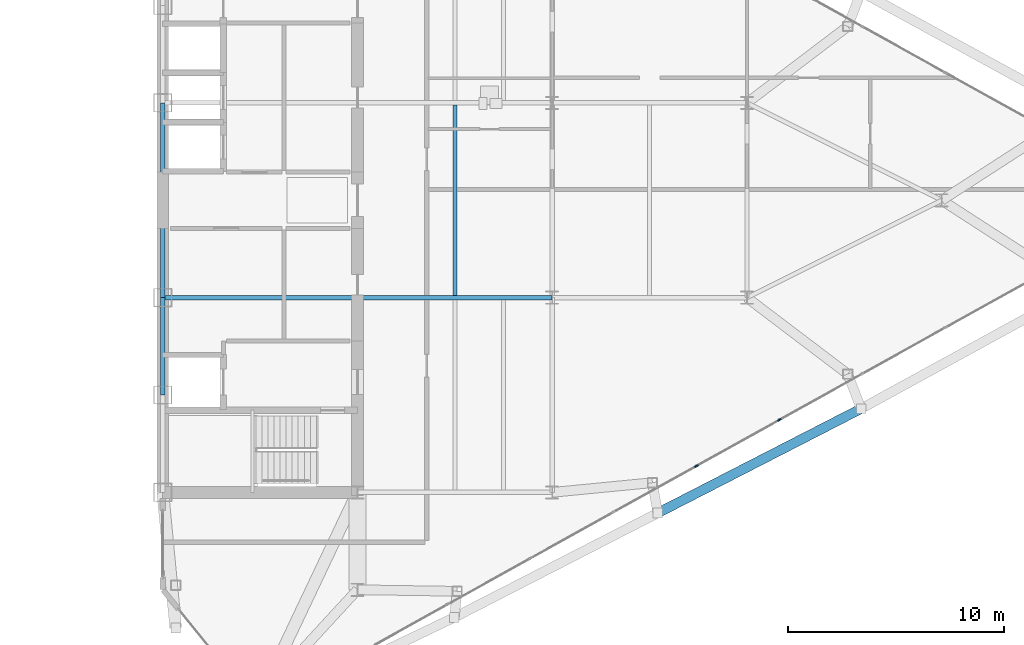
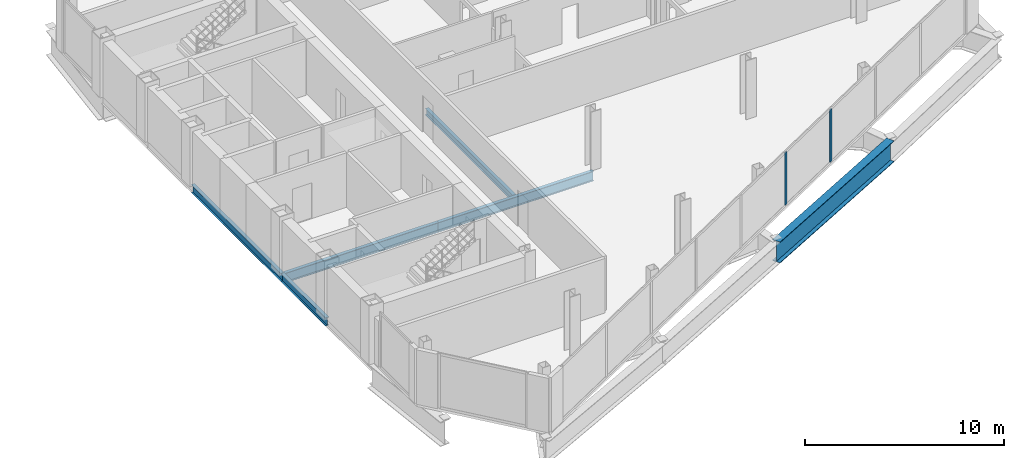
# One storey, part 13 of 28: 6 beams, 2 members, 1 element without a shape of its own.
"""IFC4 building model written with IfcOpenShell, lengths in metres."""

from ifc_helpers import new_model, si_unit, direction, frame, origin, origin_2d, place, context, subcontext, project, spatial, rectangle, i_section, extrude, source, transform, mapped, material, layer, layer_set, material_profile, profile_set, type_object, type_shapes, element, aggregate, save


model = new_model("IFC4")

# Units and contexts
model_context = context("Model", 3, precision=1e-05, world=origin(), true_north=direction((0.0, 1.0)))
body_context = subcontext(model_context, "Body", "Model", "MODEL_VIEW")
ifc_project = project(units=[si_unit("LENGTHUNIT", "METRE"), si_unit("AREAUNIT", "SQUARE_METRE"), si_unit("VOLUMEUNIT", "CUBIC_METRE"), si_unit("PLANEANGLEUNIT", "RADIAN"), si_unit("MASSUNIT", "GRAM", prefix="KILO")], contexts=[model_context])

# Site, building, storey
site_placement = place(None, origin())
site = spatial("IfcSite", under=ifc_project, at=site_placement, CompositionType="ELEMENT")
building_placement = place(site_placement, origin())
building = spatial("IfcBuilding", under=site, at=building_placement, Name="Seokmaru Belvedere", CompositionType="ELEMENT")
storey_placement = place(building_placement, frame((0.0, 0.0, 158.39990234375)))
storey = spatial("IfcBuildingStorey", under=building, at=storey_placement, Name="L42", CompositionType="ELEMENT", Elevation=158.39990234375)

# Beams
ifc_material_1 = material(Name="Steel SM355 (355 MPa)", Category="steel")
ifc_material_profile_1 = material_profile(ifc_material_1, i_section(OverallWidth=0.199951171875, OverallDepth=0.5, WebThickness=0.010009765625, FlangeThickness=0.01611328125, at=origin_2d()), Name="H-500x200x10x16")
ifc_profile_set_1 = profile_set([ifc_material_profile_1], Name="Steel SM355 (355 MPa)")
beam_type_1 = type_object("IfcBeamType", Name="Perimeter Spandrel Beam H-500", PredefinedType="SPANDREL", material=ifc_profile_set_1)
shared_shape_1 = source(origin(), body_context, "Body", "SweptSolid", [
    extrude(i_section(OverallWidth=0.199951171875, OverallDepth=0.5, WebThickness=0.010009765625, FlangeThickness=0.01611328125, at=origin_2d()), origin(), (0.0, 0.0, 1.0), 4.5),
])
beam_1_placement = place(storey_placement, frame((27.5, -9.0, -0.469970703125), z_axis=(0.0, 1.0, 0.0), x_axis=(-1.0, 0.0, 0.0)))
element("IfcBeam", 1, at=beam_1_placement, inside=storey, type_object=beam_type_1, Name="L42 E Portal Spine Spandrel 2", PredefinedType="SPANDREL", context=body_context, shape_type="MappedRepresentation", body=[
    mapped(shared_shape_1, transform((0.0, 0.0, 0.0), scale=1.0)),
])
shared_shape_2 = source(origin(), body_context, "Body", "SweptSolid", [
    extrude(i_section(OverallWidth=0.199951171875, OverallDepth=0.5, WebThickness=0.010009765625, FlangeThickness=0.01611328125, at=origin_2d()), origin(), (0.0, 0.0, 1.0), 9.0),
])
type_shapes(beam_type_1, [shared_shape_1, shared_shape_2])
beam_2_placement = place(storey_placement, frame((27.5, -4.5, -0.469970703125), z_axis=(0.0, 1.0, 0.0), x_axis=(-1.0, 0.0, 0.0)))
element("IfcBeam", 2, at=beam_2_placement, inside=storey, type_object=beam_type_1, Name="L42 E Portal Spine Spandrel 3", PredefinedType="SPANDREL", context=body_context, shape_type="MappedRepresentation", body=[
    mapped(shared_shape_2, transform((0.0, 0.0, 0.0), scale=1.0)),
])
ifc_material_profile_2 = material_profile(ifc_material_1, i_section(OverallWidth=0.199951171875, OverallDepth=0.60009765625, WebThickness=0.010986328125, FlangeThickness=0.01708984375, at=origin_2d()), Name="H-600x200x11x17")
ifc_profile_set_2 = profile_set([ifc_material_profile_2], Name="Steel SM355 (355 MPa)")
beam_type_2 = type_object("IfcBeamType", Name="Primary Floor Girder H-600", PredefinedType="BEAM", material=ifc_profile_set_2)
shared_shape_3 = source(origin(), body_context, "Body", "SweptSolid", [
    extrude(i_section(OverallWidth=0.199951171875, OverallDepth=0.60009765625, WebThickness=0.010986328125, FlangeThickness=0.01708984375, at=origin_2d()), origin(), (0.0, 0.0, 1.0), 9.0),
])
type_shapes(beam_type_2, [shared_shape_3])
for number, where, z_axis, x_axis, name in (
    (3, (27.5, -4.5, -0.52001953125), (1.0, 0.0, 0.0), (0.0, 1.0, 0.0), "L42 E Core Tie Girder 2"),
    (4, (36.5, -4.5, -0.52001953125), (1.0, 0.0, 0.0), (0.0, 1.0, 0.0), "L42 E Wing Primary Girder 2"),
):
    element("IfcBeam", number, at=place(storey_placement, frame(where, z_axis=z_axis, x_axis=x_axis)), inside=storey, type_object=beam_type_2, Name=name, PredefinedType="BEAM", context=body_context, shape_type="MappedRepresentation", body=[
        mapped(shared_shape_3, transform((0.0, 0.0, 0.0), scale=1.0)),
    ])
ifc_material_profile_3 = material_profile(ifc_material_1, i_section(OverallWidth=0.18505859375, OverallDepth=0.389892578125, WebThickness=0.008056640625, FlangeThickness=0.011962890625, at=origin_2d()), Name="H-390x185x8x12")
ifc_profile_set_3 = profile_set([ifc_material_profile_3], Name="Steel SM355 (355 MPa)")
beam_type_3 = type_object("IfcBeamType", Name="Secondary Floor Joist H-350", PredefinedType="JOIST", material=ifc_profile_set_3)
shared_shape_4 = source(origin(), body_context, "Body", "SweptSolid", [
    extrude(i_section(OverallWidth=0.18505859375, OverallDepth=0.389892578125, WebThickness=0.008056640625, FlangeThickness=0.011962890625, at=origin_2d()), origin(), (0.0, 0.0, 1.0), 8.7900390625),
])
type_shapes(beam_type_3, [shared_shape_4])
beam_3_placement = place(storey_placement, frame((41.0, -4.39501953125, -0.414794921875), z_axis=(0.0, 1.0, 0.0), x_axis=(-1.0, 0.0, 0.0)))
element("IfcBeam", 5, at=beam_3_placement, inside=storey, type_object=beam_type_3, Name="L42 E Secondary Floor Joist 2", PredefinedType="JOIST", context=body_context, shape_type="MappedRepresentation", body=[
    mapped(shared_shape_4, transform((0.0, 0.0, 0.0), scale=1.0)),
])
ifc_material_2 = material(Name="Steel HSA650 (650 MPa)", Category="steel")
ifc_material_profile_4 = material_profile(ifc_material_2, i_section(OverallWidth=0.449951171875, OverallDepth=1.300048828125, WebThickness=0.02197265625, FlangeThickness=0.0380859375, at=origin_2d()), Name="BH-1300x450x22x38")
ifc_profile_set_4 = profile_set([ifc_material_profile_4], Name="Steel HSA650 (650 MPa)")
beam_type_4 = type_object("IfcBeamType", Name="Observatory Long-Span Roof Girder BH-1300", PredefinedType="BEAM", material=ifc_profile_set_4)
shared_shape_5 = source(origin(), body_context, "Body", "SweptSolid", [
    extrude(i_section(OverallWidth=0.449951171875, OverallDepth=1.300048828125, WebThickness=0.02197265625, FlangeThickness=0.0380859375, at=origin_2d()), origin(), (0.0, 0.0, 1.0), 10.56689453125),
])
type_shapes(beam_type_4, [shared_shape_5])
beam_4_placement = place(storey_placement, frame((50.377197265625, -14.453369140625, -0.869873046875), z_axis=(0.889692588006, 0.456560071455, 0.0), x_axis=(-0.456560071455, 0.889692588006, 0.0)))
element("IfcBeam", 6, at=beam_4_placement, inside=storey, type_object=beam_type_4, Name="L42 E Faceted Flank Spandrel S-3", PredefinedType="BEAM", context=body_context, shape_type="MappedRepresentation", body=[
    mapped(shared_shape_5, transform((0.0, 0.0, 0.0), scale=1.0)),
])

# Curtain wall, members
ifc_material_3 = material(Name="Bronze Triple Insulating Glass", Category="glass")
ifc_layer = layer(ifc_material_3, 0.179931640625)
ifc_layer_set = layer_set([ifc_layer], Name="Bronze Triple Insulating Glass")
curtain_wall_type = type_object("IfcCurtainWallType", Name="High-Rise Wind-Corner Curtain Wall System CW-5", PredefinedType="NOTDEFINED", material=ifc_layer_set)
curtain_wall_placement = place(storey_placement, origin())
curtain_wall = element("IfcCurtainWall", 7, at=curtain_wall_placement, inside=storey, type_object=curtain_wall_type, Name="L42 Curtain Wall EF1", PredefinedType="NOTDEFINED")
ifc_material_4 = material(Name="Anodised Bronze Aluminium", Category="aluminium")
ifc_material_profile_5 = material_profile(ifc_material_4, rectangle(XDim=0.06494140625, YDim=0.179931640625, at=origin_2d()), Name="CW-M-65x180")
ifc_profile_set_5 = profile_set([ifc_material_profile_5], Name="Anodised Bronze Aluminium")
member_type = type_object("IfcMemberType", Name="Bronze Unitised Mullion 65x180", PredefinedType="MULLION", material=ifc_profile_set_5)
shared_shape_6 = source(origin(), body_context, "Body", "SweptSolid", [
    extrude(rectangle(XDim=0.06494140625, YDim=0.179931640625, at=origin_2d()), origin(), (0.0, 0.0, 1.0), 3.2099609375),
])
type_shapes(member_type, [shared_shape_6])
member_1_placement = place(storey_placement, frame((52.166015625, -12.2841796875, 0.065185546875), z_axis=(0.0, 0.0, 1.0), x_axis=(-0.486047125147, 0.873932601598, 0.0)))
member_1 = element("IfcMember", 8, at=member_1_placement, type_object=member_type, Name="CW:L42:EF1 Mullion 6", PredefinedType="MULLION", context=body_context, shape_type="MappedRepresentation", body=[
    mapped(shared_shape_6, transform((0.0, 0.0, 0.0), scale=1.0)),
])
member_2_placement = place(storey_placement, frame((55.998291015625, -10.153076171875, 0.065185546875), z_axis=(0.0, 0.0, 1.0), x_axis=(-0.486047125147, 0.873932601598, 0.0)))
member_2 = element("IfcMember", 9, at=member_2_placement, type_object=member_type, Name="CW:L42:EF1 Mullion 7", PredefinedType="MULLION", context=body_context, shape_type="MappedRepresentation", body=[
    mapped(shared_shape_6, transform((0.0, 0.0, 0.0), scale=1.0)),
])
aggregate(curtain_wall, [member_1, member_2])

save(model, "model.ifc")
